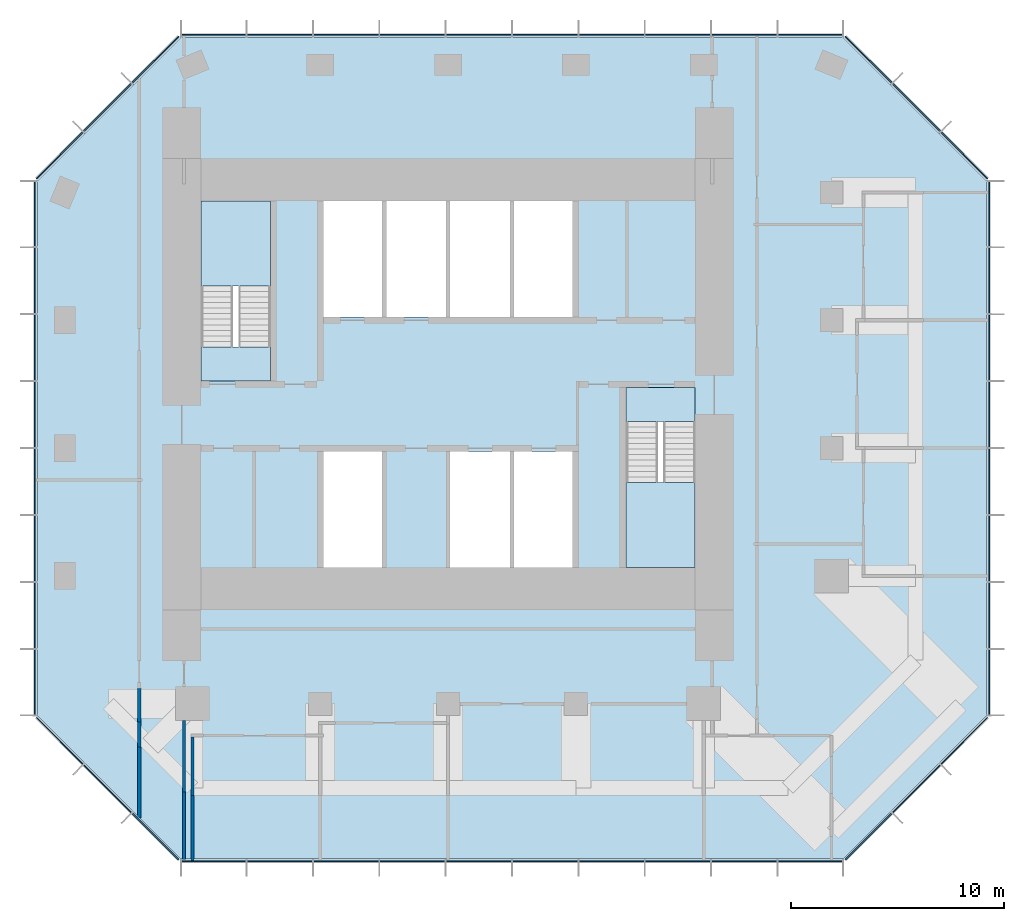
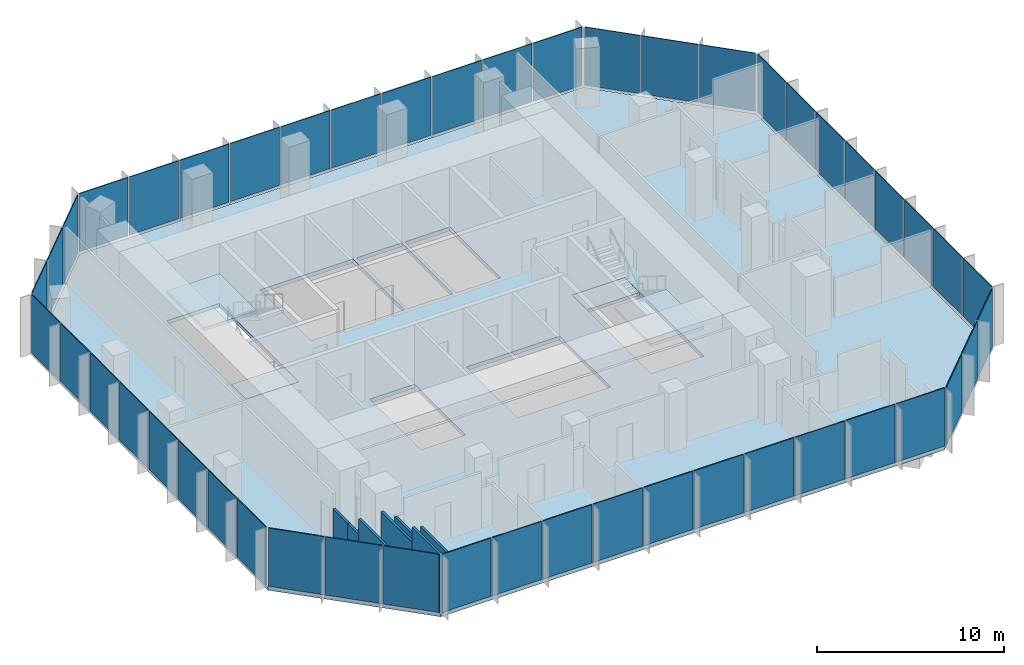
# One storey, part 7 of 11: 48 plates, 7 walls, 5 slabs, 10 elements without a shape of their own.
"""IFC4 building model written with IfcOpenShell, lengths in metres."""

from ifc_helpers import new_model, si_unit, direction, frame, frame_2d, origin, origin_2d, place, context, subcontext, project, spatial, polyline, rectangle, outline, extrude, material, layer, layer_set, type_object, element, aggregate, save


model = new_model("IFC4")

# Units and contexts
model_context = context("Model", 3, precision=1e-05, world=origin(), true_north=direction((0.0, 1.0)))
body_context = subcontext(model_context, "Body", "Model", "MODEL_VIEW")
ifc_project = project(units=[si_unit("LENGTHUNIT", "METRE"), si_unit("AREAUNIT", "SQUARE_METRE"), si_unit("VOLUMEUNIT", "CUBIC_METRE"), si_unit("PLANEANGLEUNIT", "RADIAN"), si_unit("MASSUNIT", "GRAM", prefix="KILO")], contexts=[model_context])

# Site, building, storey
site_placement = place(None, origin())
site = spatial("IfcSite", under=ifc_project, at=site_placement, CompositionType="ELEMENT")
building_placement = place(site_placement, origin())
building = spatial("IfcBuilding", under=site, at=building_placement, Name="Highveld Stack Headquarters", CompositionType="ELEMENT")
storey_placement = place(building_placement, frame((0.0, 0.0, 280.10009765625)))
storey = spatial("IfcBuildingStorey", under=building, at=storey_placement, Name="L69", CompositionType="ELEMENT", Elevation=280.10009765625)

# Curtain wall, plates
ifc_material_1 = material(Name="Aluminium bronze anodised", Category="aluminium")
ifc_layer_1 = layer(ifc_material_1, 0.199951171875)
ifc_layer_set_1 = layer_set([ifc_layer_1], Name="Aluminium bronze anodised")
curtain_wall_type = type_object("IfcCurtainWallType", Name="CW5 EXECUTIVE UNITISED CURTAIN WALL", PredefinedType="NOTDEFINED", material=ifc_layer_set_1)
curtain_wall_1_placement = place(storey_placement, origin())
curtain_wall_1 = element("IfcCurtainWall", 1, at=curtain_wall_1_placement, inside=storey, type_object=curtain_wall_type, Name="Curtain wall CW5 L69 S", PredefinedType="NOTDEFINED")
ifc_material_2 = material(Name="Glass bronze tinted triple glazed unit", Category="glass")
ifc_layer_2 = layer(ifc_material_2, 0.050048828125)
ifc_layer_set_2 = layer_set([ifc_layer_2], Name="Glass bronze tinted triple glazed unit")
plate_type = type_object("IfcPlateType", Name="CW5 PANEL BRONZE TINTED TRIPLE GLAZED UNIT", PredefinedType="CURTAIN_PANEL", material=ifc_layer_set_2)
plate_1_placement = place(storey_placement, frame((-5.005615234375, -19.39990234375, 0.10009765625), z_axis=(0.0, 0.0, 1.0), x_axis=(1.0, 0.0, 0.0)))
plate_1 = element("IfcPlate", 2, at=plate_1_placement, type_object=plate_type, Name="CW5 panel L69 1.1", PredefinedType="CURTAIN_PANEL", context=body_context, shape_type="SweptSolid", body=[
    extrude(rectangle(XDim=3.0185546875, YDim=0.050048828125, at=origin_2d()), origin(), (0.0, 0.0, 1.0), 3.800048828125),
])
plate_2_placement = place(storey_placement, frame((-1.906005859375, -19.39990234375, 0.10009765625), z_axis=(0.0, 0.0, 1.0), x_axis=(1.0, 0.0, 0.0)))
plate_2 = element("IfcPlate", 3, at=plate_2_placement, type_object=plate_type, Name="CW5 panel L69 2.1", PredefinedType="CURTAIN_PANEL", context=body_context, shape_type="SweptSolid", body=[
    extrude(rectangle(XDim=3.051025390625, YDim=0.050048828125, at=origin_2d()), origin(), (0.0, 0.0, 1.0), 3.800048828125),
])
plate_3_placement = place(storey_placement, frame((1.2099609375, -19.39990234375, 0.10009765625), z_axis=(0.0, 0.0, 1.0), x_axis=(1.0, 0.0, 0.0)))
plate_3 = element("IfcPlate", 4, at=plate_3_placement, type_object=plate_type, Name="CW5 panel L69 3.1", PredefinedType="CURTAIN_PANEL", context=body_context, shape_type="SweptSolid", body=[
    extrude(rectangle(XDim=3.051025390625, YDim=0.050048828125, at=origin_2d()), origin(), (0.0, 0.0, 1.0), 3.800048828125),
])
plate_4_placement = place(storey_placement, frame((4.325927734375, -19.39990234375, 0.10009765625), z_axis=(0.0, 0.0, 1.0), x_axis=(1.0, 0.0, 0.0)))
plate_4 = element("IfcPlate", 5, at=plate_4_placement, type_object=plate_type, Name="CW5 panel L69 4.1", PredefinedType="CURTAIN_PANEL", context=body_context, shape_type="SweptSolid", body=[
    extrude(rectangle(XDim=3.051025390625, YDim=0.050048828125, at=origin_2d()), origin(), (0.0, 0.0, 1.0), 3.800048828125),
])
plate_5_placement = place(storey_placement, frame((7.44189453125, -19.39990234375, 0.10009765625), z_axis=(0.0, 0.0, 1.0), x_axis=(1.0, 0.0, 0.0)))
plate_5 = element("IfcPlate", 6, at=plate_5_placement, type_object=plate_type, Name="CW5 panel L69 5.1", PredefinedType="CURTAIN_PANEL", context=body_context, shape_type="SweptSolid", body=[
    extrude(rectangle(XDim=3.051025390625, YDim=0.050048828125, at=origin_2d()), origin(), (0.0, 0.0, 1.0), 3.800048828125),
])
plate_6_placement = place(storey_placement, frame((10.55810546875, -19.39990234375, 0.10009765625), z_axis=(0.0, 0.0, 1.0), x_axis=(1.0, 0.0, 0.0)))
plate_6 = element("IfcPlate", 7, at=plate_6_placement, type_object=plate_type, Name="CW5 panel L69 6.1", PredefinedType="CURTAIN_PANEL", context=body_context, shape_type="SweptSolid", body=[
    extrude(rectangle(XDim=3.051025390625, YDim=0.050048828125, at=origin_2d()), origin(), (0.0, 0.0, 1.0), 3.800048828125),
])
plate_7_placement = place(storey_placement, frame((13.674072265625, -19.39990234375, 0.10009765625), z_axis=(0.0, 0.0, 1.0), x_axis=(1.0, 0.0, 0.0)))
plate_7 = element("IfcPlate", 8, at=plate_7_placement, type_object=plate_type, Name="CW5 panel L69 7.1", PredefinedType="CURTAIN_PANEL", context=body_context, shape_type="SweptSolid", body=[
    extrude(rectangle(XDim=3.051025390625, YDim=0.050048828125, at=origin_2d()), origin(), (0.0, 0.0, 1.0), 3.800048828125),
])
plate_8_placement = place(storey_placement, frame((16.789794921875, -19.39990234375, 0.10009765625), z_axis=(0.0, 0.0, 1.0), x_axis=(1.0, 0.0, 0.0)))
plate_8 = element("IfcPlate", 9, at=plate_8_placement, type_object=plate_type, Name="CW5 panel L69 8.1", PredefinedType="CURTAIN_PANEL", context=body_context, shape_type="SweptSolid", body=[
    extrude(rectangle(XDim=3.051025390625, YDim=0.050048828125, at=origin_2d()), origin(), (0.0, 0.0, 1.0), 3.800048828125),
])
plate_9_placement = place(storey_placement, frame((19.906005859375, -19.39990234375, 0.10009765625), z_axis=(0.0, 0.0, 1.0), x_axis=(1.0, 0.0, 0.0)))
plate_9 = element("IfcPlate", 10, at=plate_9_placement, type_object=plate_type, Name="CW5 panel L69 9.1", PredefinedType="CURTAIN_PANEL", context=body_context, shape_type="SweptSolid", body=[
    extrude(rectangle(XDim=3.051025390625, YDim=0.050048828125, at=origin_2d()), origin(), (0.0, 0.0, 1.0), 3.800048828125),
])
plate_10_placement = place(storey_placement, frame((23.005615234375, -19.39990234375, 0.10009765625), z_axis=(0.0, 0.0, 1.0), x_axis=(1.0, 0.0, 0.0)))
plate_10 = element("IfcPlate", 11, at=plate_10_placement, type_object=plate_type, Name="CW5 panel L69 10.1", PredefinedType="CURTAIN_PANEL", context=body_context, shape_type="SweptSolid", body=[
    extrude(rectangle(XDim=3.0185546875, YDim=0.050048828125, at=origin_2d()), origin(), (0.0, 0.0, 1.0), 3.800048828125),
])
aggregate(curtain_wall_1, [plate_1, plate_2, plate_3, plate_4, plate_5, plate_6, plate_7, plate_8, plate_9, plate_10])

curtain_wall_2_placement = place(storey_placement, origin())
curtain_wall_2 = element("IfcCurtainWall", 12, at=curtain_wall_2_placement, inside=storey, type_object=curtain_wall_type, Name="Curtain wall CW5 L69 SE", PredefinedType="NOTDEFINED")
plate_11_placement = place(storey_placement, frame((25.740478515625, -18.239501953125, 0.10009765625), z_axis=(0.0, 0.0, 1.0), x_axis=(0.707106781187, 0.707106781187, 0.0)))
plate_11 = element("IfcPlate", 13, at=plate_11_placement, type_object=plate_type, Name="CW5 panel L69 1.1", PredefinedType="CURTAIN_PANEL", context=body_context, shape_type="SweptSolid", body=[
    extrude(rectangle(XDim=3.08251953125, YDim=0.050048828125, at=origin_2d()), origin(), (0.0, 0.0, 1.0), 3.800048828125),
])
plate_12_placement = place(storey_placement, frame((27.989990234375, -15.989990234375, 0.10009765625), z_axis=(0.0, 0.0, 1.0), x_axis=(0.707106781187, 0.707106781187, 0.0)))
plate_12 = element("IfcPlate", 14, at=plate_12_placement, type_object=plate_type, Name="CW5 panel L69 2.1", PredefinedType="CURTAIN_PANEL", context=body_context, shape_type="SweptSolid", body=[
    extrude(rectangle(XDim=3.14990234375, YDim=0.050048828125, at=origin_2d()), origin(), (0.0, 0.0, 1.0), 3.800048828125),
])
plate_13_placement = place(storey_placement, frame((30.239501953125, -13.740478515625, 0.10009765625), z_axis=(0.0, 0.0, 1.0), x_axis=(0.707106781187, 0.707106781187, 0.0)))
plate_13 = element("IfcPlate", 15, at=plate_13_placement, type_object=plate_type, Name="CW5 panel L69 3.1", PredefinedType="CURTAIN_PANEL", context=body_context, shape_type="SweptSolid", body=[
    extrude(rectangle(XDim=3.08251953125, YDim=0.050048828125, at=origin_2d()), origin(), (0.0, 0.0, 1.0), 3.800048828125),
])
aggregate(curtain_wall_2, [plate_11, plate_12, plate_13])

curtain_wall_3_placement = place(storey_placement, origin())
curtain_wall_3 = element("IfcCurtainWall", 16, at=curtain_wall_3_placement, inside=storey, type_object=curtain_wall_type, Name="Curtain wall CW5 L69 E", PredefinedType="NOTDEFINED")
plate_14_placement = place(storey_placement, frame((31.39990234375, -10.9912109375, 0.10009765625), z_axis=(0.0, 0.0, 1.0), x_axis=(0.0, 1.0, 0.0)))
plate_14 = element("IfcPlate", 17, at=plate_14_placement, type_object=plate_type, Name="CW5 panel L69 1.1", PredefinedType="CURTAIN_PANEL", context=body_context, shape_type="SweptSolid", body=[
    extrude(rectangle(XDim=3.047607421875, YDim=0.050048828125, at=origin_2d()), origin(), (0.0, 0.0, 1.0), 3.800048828125),
])
plate_15_placement = place(storey_placement, frame((31.39990234375, -7.8623046875, 0.10009765625), z_axis=(0.0, 0.0, 1.0), x_axis=(0.0, 1.0, 0.0)))
plate_15 = element("IfcPlate", 18, at=plate_15_placement, type_object=plate_type, Name="CW5 panel L69 2.1", PredefinedType="CURTAIN_PANEL", context=body_context, shape_type="SweptSolid", body=[
    extrude(rectangle(XDim=3.080078125, YDim=0.050048828125, at=origin_2d()), origin(), (0.0, 0.0, 1.0), 3.800048828125),
])
plate_16_placement = place(storey_placement, frame((31.39990234375, -4.717529296875, 0.10009765625), z_axis=(0.0, 0.0, 1.0), x_axis=(0.0, 1.0, 0.0)))
plate_16 = element("IfcPlate", 19, at=plate_16_placement, type_object=plate_type, Name="CW5 panel L69 3.1", PredefinedType="CURTAIN_PANEL", context=body_context, shape_type="SweptSolid", body=[
    extrude(rectangle(XDim=3.080078125, YDim=0.050048828125, at=origin_2d()), origin(), (0.0, 0.0, 1.0), 3.800048828125),
])
plate_17_placement = place(storey_placement, frame((31.39990234375, -1.572509765625, 0.10009765625), z_axis=(0.0, 0.0, 1.0), x_axis=(0.0, 1.0, 0.0)))
plate_17 = element("IfcPlate", 20, at=plate_17_placement, type_object=plate_type, Name="CW5 panel L69 4.1", PredefinedType="CURTAIN_PANEL", context=body_context, shape_type="SweptSolid", body=[
    extrude(rectangle(XDim=3.080078125, YDim=0.050048828125, at=origin_2d()), origin(), (0.0, 0.0, 1.0), 3.800048828125),
])
plate_18_placement = place(storey_placement, frame((31.39990234375, 1.572509765625, 0.10009765625), z_axis=(0.0, 0.0, 1.0), x_axis=(0.0, 1.0, 0.0)))
plate_18 = element("IfcPlate", 21, at=plate_18_placement, type_object=plate_type, Name="CW5 panel L69 5.1", PredefinedType="CURTAIN_PANEL", context=body_context, shape_type="SweptSolid", body=[
    extrude(rectangle(XDim=3.080078125, YDim=0.050048828125, at=origin_2d()), origin(), (0.0, 0.0, 1.0), 3.800048828125),
])
plate_19_placement = place(storey_placement, frame((31.39990234375, 4.717529296875, 0.10009765625), z_axis=(0.0, 0.0, 1.0), x_axis=(0.0, 1.0, 0.0)))
plate_19 = element("IfcPlate", 22, at=plate_19_placement, type_object=plate_type, Name="CW5 panel L69 6.1", PredefinedType="CURTAIN_PANEL", context=body_context, shape_type="SweptSolid", body=[
    extrude(rectangle(XDim=3.080078125, YDim=0.050048828125, at=origin_2d()), origin(), (0.0, 0.0, 1.0), 3.800048828125),
])
plate_20_placement = place(storey_placement, frame((31.39990234375, 7.8623046875, 0.10009765625), z_axis=(0.0, 0.0, 1.0), x_axis=(0.0, 1.0, 0.0)))
plate_20 = element("IfcPlate", 23, at=plate_20_placement, type_object=plate_type, Name="CW5 panel L69 7.1", PredefinedType="CURTAIN_PANEL", context=body_context, shape_type="SweptSolid", body=[
    extrude(rectangle(XDim=3.080078125, YDim=0.050048828125, at=origin_2d()), origin(), (0.0, 0.0, 1.0), 3.800048828125),
])
plate_21_placement = place(storey_placement, frame((31.39990234375, 10.9912109375, 0.10009765625), z_axis=(0.0, 0.0, 1.0), x_axis=(0.0, 1.0, 0.0)))
plate_21 = element("IfcPlate", 24, at=plate_21_placement, type_object=plate_type, Name="CW5 panel L69 8.1", PredefinedType="CURTAIN_PANEL", context=body_context, shape_type="SweptSolid", body=[
    extrude(rectangle(XDim=3.047607421875, YDim=0.050048828125, at=origin_2d()), origin(), (0.0, 0.0, 1.0), 3.800048828125),
])
aggregate(curtain_wall_3, [plate_14, plate_15, plate_16, plate_17, plate_18, plate_19, plate_20, plate_21])

curtain_wall_4_placement = place(storey_placement, origin())
curtain_wall_4 = element("IfcCurtainWall", 25, at=curtain_wall_4_placement, inside=storey, type_object=curtain_wall_type, Name="Curtain wall CW5 L69 NE", PredefinedType="NOTDEFINED")
plate_22_placement = place(storey_placement, frame((30.239501953125, 13.740478515625, 0.10009765625), z_axis=(0.0, 0.0, 1.0), x_axis=(-0.707106781187, 0.707106781187, 0.0)))
plate_22 = element("IfcPlate", 26, at=plate_22_placement, type_object=plate_type, Name="CW5 panel L69 1.1", PredefinedType="CURTAIN_PANEL", context=body_context, shape_type="SweptSolid", body=[
    extrude(rectangle(XDim=3.08251953125, YDim=0.050048828125, at=origin_2d()), origin(), (0.0, 0.0, 1.0), 3.800048828125),
])
plate_23_placement = place(storey_placement, frame((27.989990234375, 15.989990234375, 0.10009765625), z_axis=(0.0, 0.0, 1.0), x_axis=(-0.707106781187, 0.707106781187, 0.0)))
plate_23 = element("IfcPlate", 27, at=plate_23_placement, type_object=plate_type, Name="CW5 panel L69 2.1", PredefinedType="CURTAIN_PANEL", context=body_context, shape_type="SweptSolid", body=[
    extrude(rectangle(XDim=3.14990234375, YDim=0.050048828125, at=origin_2d()), origin(), (0.0, 0.0, 1.0), 3.800048828125),
])
plate_24_placement = place(storey_placement, frame((25.740478515625, 18.239501953125, 0.10009765625), z_axis=(0.0, 0.0, 1.0), x_axis=(-0.707106781187, 0.707106781187, 0.0)))
plate_24 = element("IfcPlate", 28, at=plate_24_placement, type_object=plate_type, Name="CW5 panel L69 3.1", PredefinedType="CURTAIN_PANEL", context=body_context, shape_type="SweptSolid", body=[
    extrude(rectangle(XDim=3.08251953125, YDim=0.050048828125, at=origin_2d()), origin(), (0.0, 0.0, 1.0), 3.800048828125),
])
aggregate(curtain_wall_4, [plate_22, plate_23, plate_24])

curtain_wall_5_placement = place(storey_placement, origin())
curtain_wall_5 = element("IfcCurtainWall", 29, at=curtain_wall_5_placement, inside=storey, type_object=curtain_wall_type, Name="Curtain wall CW5 L69 N", PredefinedType="NOTDEFINED")
plate_25_placement = place(storey_placement, frame((23.005615234375, 19.39990234375, 0.10009765625), z_axis=(0.0, 0.0, 1.0), x_axis=(-1.0, 0.0, 0.0)))
plate_25 = element("IfcPlate", 30, at=plate_25_placement, type_object=plate_type, Name="CW5 panel L69 1.1", PredefinedType="CURTAIN_PANEL", context=body_context, shape_type="SweptSolid", body=[
    extrude(rectangle(XDim=3.0185546875, YDim=0.050048828125, at=origin_2d()), origin(), (0.0, 0.0, 1.0), 3.800048828125),
])
plate_26_placement = place(storey_placement, frame((19.906005859375, 19.39990234375, 0.10009765625), z_axis=(0.0, 0.0, 1.0), x_axis=(-1.0, 0.0, 0.0)))
plate_26 = element("IfcPlate", 31, at=plate_26_placement, type_object=plate_type, Name="CW5 panel L69 2.1", PredefinedType="CURTAIN_PANEL", context=body_context, shape_type="SweptSolid", body=[
    extrude(rectangle(XDim=3.051025390625, YDim=0.050048828125, at=origin_2d()), origin(), (0.0, 0.0, 1.0), 3.800048828125),
])
plate_27_placement = place(storey_placement, frame((16.7900390625, 19.39990234375, 0.10009765625), z_axis=(0.0, 0.0, 1.0), x_axis=(-1.0, 0.0, 0.0)))
plate_27 = element("IfcPlate", 32, at=plate_27_placement, type_object=plate_type, Name="CW5 panel L69 3.1", PredefinedType="CURTAIN_PANEL", context=body_context, shape_type="SweptSolid", body=[
    extrude(rectangle(XDim=3.051025390625, YDim=0.050048828125, at=origin_2d()), origin(), (0.0, 0.0, 1.0), 3.800048828125),
])
plate_28_placement = place(storey_placement, frame((13.674072265625, 19.39990234375, 0.10009765625), z_axis=(0.0, 0.0, 1.0), x_axis=(-1.0, 0.0, 0.0)))
plate_28 = element("IfcPlate", 33, at=plate_28_placement, type_object=plate_type, Name="CW5 panel L69 4.1", PredefinedType="CURTAIN_PANEL", context=body_context, shape_type="SweptSolid", body=[
    extrude(rectangle(XDim=3.051025390625, YDim=0.050048828125, at=origin_2d()), origin(), (0.0, 0.0, 1.0), 3.800048828125),
])
plate_29_placement = place(storey_placement, frame((10.55810546875, 19.39990234375, 0.10009765625), z_axis=(0.0, 0.0, 1.0), x_axis=(-1.0, 0.0, 0.0)))
plate_29 = element("IfcPlate", 34, at=plate_29_placement, type_object=plate_type, Name="CW5 panel L69 5.1", PredefinedType="CURTAIN_PANEL", context=body_context, shape_type="SweptSolid", body=[
    extrude(rectangle(XDim=3.051025390625, YDim=0.050048828125, at=origin_2d()), origin(), (0.0, 0.0, 1.0), 3.800048828125),
])
plate_30_placement = place(storey_placement, frame((7.44189453125, 19.39990234375, 0.10009765625), z_axis=(0.0, 0.0, 1.0), x_axis=(-1.0, 0.0, 0.0)))
plate_30 = element("IfcPlate", 35, at=plate_30_placement, type_object=plate_type, Name="CW5 panel L69 6.1", PredefinedType="CURTAIN_PANEL", context=body_context, shape_type="SweptSolid", body=[
    extrude(rectangle(XDim=3.051025390625, YDim=0.050048828125, at=origin_2d()), origin(), (0.0, 0.0, 1.0), 3.800048828125),
])
plate_31_placement = place(storey_placement, frame((4.325927734375, 19.39990234375, 0.10009765625), z_axis=(0.0, 0.0, 1.0), x_axis=(-1.0, 0.0, 0.0)))
plate_31 = element("IfcPlate", 36, at=plate_31_placement, type_object=plate_type, Name="CW5 panel L69 7.1", PredefinedType="CURTAIN_PANEL", context=body_context, shape_type="SweptSolid", body=[
    extrude(rectangle(XDim=3.051025390625, YDim=0.050048828125, at=origin_2d()), origin(), (0.0, 0.0, 1.0), 3.800048828125),
])
plate_32_placement = place(storey_placement, frame((1.210205078125, 19.39990234375, 0.10009765625), z_axis=(0.0, 0.0, 1.0), x_axis=(-1.0, 0.0, 0.0)))
plate_32 = element("IfcPlate", 37, at=plate_32_placement, type_object=plate_type, Name="CW5 panel L69 8.1", PredefinedType="CURTAIN_PANEL", context=body_context, shape_type="SweptSolid", body=[
    extrude(rectangle(XDim=3.051025390625, YDim=0.050048828125, at=origin_2d()), origin(), (0.0, 0.0, 1.0), 3.800048828125),
])
plate_33_placement = place(storey_placement, frame((-1.906005859375, 19.39990234375, 0.10009765625), z_axis=(0.0, 0.0, 1.0), x_axis=(-1.0, 0.0, 0.0)))
plate_33 = element("IfcPlate", 38, at=plate_33_placement, type_object=plate_type, Name="CW5 panel L69 9.1", PredefinedType="CURTAIN_PANEL", context=body_context, shape_type="SweptSolid", body=[
    extrude(rectangle(XDim=3.051025390625, YDim=0.050048828125, at=origin_2d()), origin(), (0.0, 0.0, 1.0), 3.800048828125),
])
plate_34_placement = place(storey_placement, frame((-5.005615234375, 19.39990234375, 0.10009765625), z_axis=(0.0, 0.0, 1.0), x_axis=(-1.0, 0.0, 0.0)))
plate_34 = element("IfcPlate", 39, at=plate_34_placement, type_object=plate_type, Name="CW5 panel L69 10.1", PredefinedType="CURTAIN_PANEL", context=body_context, shape_type="SweptSolid", body=[
    extrude(rectangle(XDim=3.0185546875, YDim=0.050048828125, at=origin_2d()), origin(), (0.0, 0.0, 1.0), 3.800048828125),
])
aggregate(curtain_wall_5, [plate_25, plate_26, plate_27, plate_28, plate_29, plate_30, plate_31, plate_32, plate_33, plate_34])

curtain_wall_6_placement = place(storey_placement, origin())
curtain_wall_6 = element("IfcCurtainWall", 40, at=curtain_wall_6_placement, inside=storey, type_object=curtain_wall_type, Name="Curtain wall CW5 L69 NW", PredefinedType="NOTDEFINED")
plate_35_placement = place(storey_placement, frame((-7.740478515625, 18.239501953125, 0.10009765625), z_axis=(0.0, 0.0, 1.0), x_axis=(-0.707106781187, -0.707106781187, 0.0)))
plate_35 = element("IfcPlate", 41, at=plate_35_placement, type_object=plate_type, Name="CW5 panel L69 1.1", PredefinedType="CURTAIN_PANEL", context=body_context, shape_type="SweptSolid", body=[
    extrude(rectangle(XDim=3.08251953125, YDim=0.050048828125, at=origin_2d()), origin(), (0.0, 0.0, 1.0), 3.800048828125),
])
plate_36_placement = place(storey_placement, frame((-9.989990234375, 15.989990234375, 0.10009765625), z_axis=(0.0, 0.0, 1.0), x_axis=(-0.707106781187, -0.707106781187, 0.0)))
plate_36 = element("IfcPlate", 42, at=plate_36_placement, type_object=plate_type, Name="CW5 panel L69 2.1", PredefinedType="CURTAIN_PANEL", context=body_context, shape_type="SweptSolid", body=[
    extrude(rectangle(XDim=3.14990234375, YDim=0.050048828125, at=origin_2d()), origin(), (0.0, 0.0, 1.0), 3.800048828125),
])
plate_37_placement = place(storey_placement, frame((-12.239501953125, 13.740478515625, 0.10009765625), z_axis=(0.0, 0.0, 1.0), x_axis=(-0.707106781187, -0.707106781187, 0.0)))
plate_37 = element("IfcPlate", 43, at=plate_37_placement, type_object=plate_type, Name="CW5 panel L69 3.1", PredefinedType="CURTAIN_PANEL", context=body_context, shape_type="SweptSolid", body=[
    extrude(rectangle(XDim=3.08251953125, YDim=0.050048828125, at=origin_2d()), origin(), (0.0, 0.0, 1.0), 3.800048828125),
])
aggregate(curtain_wall_6, [plate_35, plate_36, plate_37])

curtain_wall_7_placement = place(storey_placement, origin())
curtain_wall_7 = element("IfcCurtainWall", 44, at=curtain_wall_7_placement, inside=storey, type_object=curtain_wall_type, Name="Curtain wall CW5 L69 W", PredefinedType="NOTDEFINED")
plate_38_placement = place(storey_placement, frame((-13.39990234375, 10.9912109375, 0.10009765625), z_axis=(0.0, 0.0, 1.0), x_axis=(0.0, -1.0, 0.0)))
plate_38 = element("IfcPlate", 45, at=plate_38_placement, type_object=plate_type, Name="CW5 panel L69 1.1", PredefinedType="CURTAIN_PANEL", context=body_context, shape_type="SweptSolid", body=[
    extrude(rectangle(XDim=3.047607421875, YDim=0.050048828125, at=origin_2d()), origin(), (0.0, 0.0, 1.0), 3.800048828125),
])
plate_39_placement = place(storey_placement, frame((-13.39990234375, 7.8623046875, 0.10009765625), z_axis=(0.0, 0.0, 1.0), x_axis=(0.0, -1.0, 0.0)))
plate_39 = element("IfcPlate", 46, at=plate_39_placement, type_object=plate_type, Name="CW5 panel L69 2.1", PredefinedType="CURTAIN_PANEL", context=body_context, shape_type="SweptSolid", body=[
    extrude(rectangle(XDim=3.080078125, YDim=0.050048828125, at=origin_2d()), origin(), (0.0, 0.0, 1.0), 3.800048828125),
])
plate_40_placement = place(storey_placement, frame((-13.39990234375, 4.717529296875, 0.10009765625), z_axis=(0.0, 0.0, 1.0), x_axis=(0.0, -1.0, 0.0)))
plate_40 = element("IfcPlate", 47, at=plate_40_placement, type_object=plate_type, Name="CW5 panel L69 3.1", PredefinedType="CURTAIN_PANEL", context=body_context, shape_type="SweptSolid", body=[
    extrude(rectangle(XDim=3.080078125, YDim=0.050048828125, at=origin_2d()), origin(), (0.0, 0.0, 1.0), 3.800048828125),
])
plate_41_placement = place(storey_placement, frame((-13.39990234375, 1.572509765625, 0.10009765625), z_axis=(0.0, 0.0, 1.0), x_axis=(0.0, -1.0, 0.0)))
plate_41 = element("IfcPlate", 48, at=plate_41_placement, type_object=plate_type, Name="CW5 panel L69 4.1", PredefinedType="CURTAIN_PANEL", context=body_context, shape_type="SweptSolid", body=[
    extrude(rectangle(XDim=3.080078125, YDim=0.050048828125, at=origin_2d()), origin(), (0.0, 0.0, 1.0), 3.800048828125),
])
plate_42_placement = place(storey_placement, frame((-13.39990234375, -1.572509765625, 0.10009765625), z_axis=(0.0, 0.0, 1.0), x_axis=(0.0, -1.0, 0.0)))
plate_42 = element("IfcPlate", 49, at=plate_42_placement, type_object=plate_type, Name="CW5 panel L69 5.1", PredefinedType="CURTAIN_PANEL", context=body_context, shape_type="SweptSolid", body=[
    extrude(rectangle(XDim=3.080078125, YDim=0.050048828125, at=origin_2d()), origin(), (0.0, 0.0, 1.0), 3.800048828125),
])
plate_43_placement = place(storey_placement, frame((-13.39990234375, -4.717529296875, 0.10009765625), z_axis=(0.0, 0.0, 1.0), x_axis=(0.0, -1.0, 0.0)))
plate_43 = element("IfcPlate", 50, at=plate_43_placement, type_object=plate_type, Name="CW5 panel L69 6.1", PredefinedType="CURTAIN_PANEL", context=body_context, shape_type="SweptSolid", body=[
    extrude(rectangle(XDim=3.080078125, YDim=0.050048828125, at=origin_2d()), origin(), (0.0, 0.0, 1.0), 3.800048828125),
])
plate_44_placement = place(storey_placement, frame((-13.39990234375, -7.8623046875, 0.10009765625), z_axis=(0.0, 0.0, 1.0), x_axis=(0.0, -1.0, 0.0)))
plate_44 = element("IfcPlate", 51, at=plate_44_placement, type_object=plate_type, Name="CW5 panel L69 7.1", PredefinedType="CURTAIN_PANEL", context=body_context, shape_type="SweptSolid", body=[
    extrude(rectangle(XDim=3.080078125, YDim=0.050048828125, at=origin_2d()), origin(), (0.0, 0.0, 1.0), 3.800048828125),
])
plate_45_placement = place(storey_placement, frame((-13.39990234375, -10.9912109375, 0.10009765625), z_axis=(0.0, 0.0, 1.0), x_axis=(0.0, -1.0, 0.0)))
plate_45 = element("IfcPlate", 52, at=plate_45_placement, type_object=plate_type, Name="CW5 panel L69 8.1", PredefinedType="CURTAIN_PANEL", context=body_context, shape_type="SweptSolid", body=[
    extrude(rectangle(XDim=3.047607421875, YDim=0.050048828125, at=origin_2d()), origin(), (0.0, 0.0, 1.0), 3.800048828125),
])
aggregate(curtain_wall_7, [plate_38, plate_39, plate_40, plate_41, plate_42, plate_43, plate_44, plate_45])

curtain_wall_8_placement = place(storey_placement, origin())
curtain_wall_8 = element("IfcCurtainWall", 53, at=curtain_wall_8_placement, inside=storey, type_object=curtain_wall_type, Name="Curtain wall CW5 L69 SW", PredefinedType="NOTDEFINED")
plate_46_placement = place(storey_placement, frame((-12.239501953125, -13.740478515625, 0.10009765625), z_axis=(0.0, 0.0, 1.0), x_axis=(0.707106781187, -0.707106781187, 0.0)))
plate_46 = element("IfcPlate", 54, at=plate_46_placement, type_object=plate_type, Name="CW5 panel L69 1.1", PredefinedType="CURTAIN_PANEL", context=body_context, shape_type="SweptSolid", body=[
    extrude(rectangle(XDim=3.08251953125, YDim=0.050048828125, at=origin_2d()), origin(), (0.0, 0.0, 1.0), 3.800048828125),
])
plate_47_placement = place(storey_placement, frame((-9.989990234375, -15.989990234375, 0.10009765625), z_axis=(0.0, 0.0, 1.0), x_axis=(0.707106781187, -0.707106781187, 0.0)))
plate_47 = element("IfcPlate", 55, at=plate_47_placement, type_object=plate_type, Name="CW5 panel L69 2.1", PredefinedType="CURTAIN_PANEL", context=body_context, shape_type="SweptSolid", body=[
    extrude(rectangle(XDim=3.14990234375, YDim=0.050048828125, at=origin_2d()), origin(), (0.0, 0.0, 1.0), 3.800048828125),
])
plate_48_placement = place(storey_placement, frame((-7.740478515625, -18.239501953125, 0.10009765625), z_axis=(0.0, 0.0, 1.0), x_axis=(0.707106781187, -0.707106781187, 0.0)))
plate_48 = element("IfcPlate", 56, at=plate_48_placement, type_object=plate_type, Name="CW5 panel L69 3.1", PredefinedType="CURTAIN_PANEL", context=body_context, shape_type="SweptSolid", body=[
    extrude(rectangle(XDim=3.08251953125, YDim=0.050048828125, at=origin_2d()), origin(), (0.0, 0.0, 1.0), 3.800048828125),
])
aggregate(curtain_wall_8, [plate_46, plate_47, plate_48])

# Slab
ifc_material_3 = material(Name="Concrete C60/75", Category="concrete")
ifc_layer_3 = layer(ifc_material_3, 0.25)
ifc_layer_set_3 = layer_set([ifc_layer_3], Name="Concrete C60/75")
slab_type_1 = type_object("IfcSlabType", Name="PT FLAT SLAB 250", PredefinedType="FLOOR", material=ifc_layer_set_3)
slab_1_placement = place(storey_placement, frame((0.0, 0.0, -0.25)))
element("IfcSlab", 57, at=slab_1_placement, inside=storey, type_object=slab_type_1, Name="Floor slab L69", PredefinedType="FLOOR", context=body_context, shape_type="SweptSolid", body=[
    extrude(outline(polyline([(-6.53857421875, -19.300048828125), (24.53857421875, -19.300048828125), (31.300048828125, -12.53857421875), (31.300048828125, 12.53857421875), (24.53857421875, 19.300048828125), (-6.53857421875, 19.300048828125), (-13.300048828125, 12.53857421875), (-13.300048828125, -12.53857421875), (-6.53857421875, -19.300048828125)]), holes=[polyline([(0.14990234375, 6.14990234375), (5.89990234375, 6.14990234375), (5.89990234375, 11.60009765625), (0.14990234375, 11.60009765625), (0.14990234375, 6.14990234375)]), polyline([(9.10009765625, 6.14990234375), (11.85009765625, 6.14990234375), (11.85009765625, 11.60009765625), (9.10009765625, 11.60009765625), (9.10009765625, 6.14990234375)]), polyline([(6.10009765625, 6.14990234375), (8.89990234375, 6.14990234375), (8.89990234375, 11.60009765625), (6.10009765625, 11.60009765625), (6.10009765625, 6.14990234375)]), polyline([(6.10009765625, -5.60009765625), (11.85009765625, -5.60009765625), (11.85009765625, -0.14990234375), (6.10009765625, -0.14990234375), (6.10009765625, -5.60009765625)]), polyline([(0.14990234375, -5.60009765625), (2.89990234375, -5.60009765625), (2.89990234375, -0.14990234375), (0.14990234375, -0.14990234375), (0.14990234375, -5.60009765625)]), polyline([(-5.60009765625, 3.14990234375), (-2.35009765625, 3.14990234375), (-2.35009765625, 11.60009765625), (-5.60009765625, 11.60009765625), (-5.60009765625, 3.14990234375)]), polyline([(14.35009765625, -5.60009765625), (17.60009765625, -5.60009765625), (17.60009765625, 2.85009765625), (14.35009765625, 2.85009765625), (14.35009765625, -5.60009765625)])]), origin(), (0.0, 0.0, 1.0), 0.25),
])

# Stair, slabs
ifc_material_4 = material(Name="Concrete C40/50, precast", Category="concrete")
stair_type_1 = type_object("IfcStairType", Name="STAIR S1 HALF TURN 1500", PredefinedType="HALF_TURN_STAIR", material=ifc_material_4)
stair_1_placement = place(storey_placement, origin())
stair_1 = element("IfcStair", 58, at=stair_1_placement, inside=storey, type_object=stair_type_1, Name="Stair S1 L69", PredefinedType="HALF_TURN_STAIR")
ifc_material_5 = material(Name="Concrete C40/50, precast", Category="concrete")
ifc_layer_4 = layer(ifc_material_5, 0.199951171875)
ifc_layer_set_4 = layer_set([ifc_layer_4], Name="Concrete C40/50, precast")
slab_type_2 = type_object("IfcSlabType", Name="STAIR LANDING 200", PredefinedType="LANDING", material=ifc_layer_set_4)
slab_2_placement = place(storey_placement, frame((0.0, 0.0, 1.75)))
slab_2 = element("IfcSlab", 59, at=slab_2_placement, type_object=slab_type_2, Name="S1 landing 1", PredefinedType="LANDING", context=body_context, shape_type="SweptSolid", body=[
    extrude(outline(polyline([(-5.60009765625, 7.610107421875), (-2.35009765625, 7.610107421875), (-2.35009765625, 11.60009765625), (-5.60009765625, 11.60009765625), (-5.60009765625, 7.610107421875)])), origin(), (0.0, 0.0, 1.0), 0.199951171875),
])
slab_3_placement = place(storey_placement, frame((0.0, 0.0, -0.2001953125)))
slab_3 = element("IfcSlab", 60, at=slab_3_placement, type_object=slab_type_2, Name="S1 landing 2", PredefinedType="LANDING", context=body_context, shape_type="SweptSolid", body=[
    extrude(outline(polyline([(-5.60009765625, 3.14990234375), (-2.35009765625, 3.14990234375), (-2.35009765625, 4.75), (-5.60009765625, 4.75), (-5.60009765625, 3.14990234375)])), origin(), (0.0, 0.0, 1.0), 0.2001953125),
])
aggregate(stair_1, [slab_2, slab_3])

ifc_material_6 = material(Name="Concrete C40/50, precast", Category="concrete")
stair_type_2 = type_object("IfcStairType", Name="STAIR S2 HALF TURN 1500", PredefinedType="HALF_TURN_STAIR", material=ifc_material_6)
stair_2_placement = place(storey_placement, origin())
stair_2 = element("IfcStair", 61, at=stair_2_placement, inside=storey, type_object=stair_type_2, Name="Stair S2 L69", PredefinedType="HALF_TURN_STAIR")
slab_4_placement = place(storey_placement, frame((0.0, 0.0, 1.75)))
slab_4 = element("IfcSlab", 62, at=slab_4_placement, type_object=slab_type_2, Name="S2 landing 1", PredefinedType="LANDING", context=body_context, shape_type="SweptSolid", body=[
    extrude(outline(polyline([(14.35009765625, -5.60009765625), (17.60009765625, -5.60009765625), (17.60009765625, -1.610107421875), (14.35009765625, -1.610107421875), (14.35009765625, -5.60009765625)])), origin(), (0.0, 0.0, 1.0), 0.199951171875),
])
slab_5_placement = place(storey_placement, frame((0.0, 0.0, -0.2001953125)))
slab_5 = element("IfcSlab", 63, at=slab_5_placement, type_object=slab_type_2, Name="S2 landing 2", PredefinedType="LANDING", context=body_context, shape_type="SweptSolid", body=[
    extrude(outline(polyline([(14.35009765625, 1.25), (17.60009765625, 1.25), (17.60009765625, 2.85009765625), (14.35009765625, 2.85009765625), (14.35009765625, 1.25)])), origin(), (0.0, 0.0, 1.0), 0.2001953125),
])
aggregate(stair_2, [slab_4, slab_5])

# Walls
ifc_material_7 = material(Name="Gypsum plasterboard on steel studs", Category="steel")
ifc_layer_5 = layer(ifc_material_7, 0.14990234375)
ifc_layer_set_5 = layer_set([ifc_layer_5], Name="Gypsum plasterboard on steel studs")
wall_type = type_object("IfcWallType", Name="PARTITION 150 PLASTERBOARD", PredefinedType="PARTITIONING", material=ifc_layer_set_5)
wall_1_placement = place(storey_placement, frame((-6.0, -19.375, 0.0), z_axis=(0.0, 0.0, 1.0), x_axis=(0.0, 1.0, 0.0)))
element("IfcWall", 64, at=wall_1_placement, inside=storey, type_object=wall_type, Name="Partition Quiet room L69", PredefinedType="PARTITIONING", context=body_context, shape_type="SweptSolid", body=[
    extrude(rectangle(XDim=3.06494140625, YDim=0.14990234375, at=frame_2d((1.532470703125, 0.0))), origin(), (0.0, 0.0, 1.0), 3.64990234375),
])
wall_2_placement = place(storey_placement, frame((-6.0, -16.31005859375, 0.0), z_axis=(0.0, 0.0, 1.0), x_axis=(0.0, 1.0, 0.0)))
element("IfcWall", 65, at=wall_2_placement, inside=storey, type_object=wall_type, Name="Partition Quiet room L69", PredefinedType="PARTITIONING", context=body_context, shape_type="SweptSolid", body=[
    extrude(rectangle(XDim=2.735107421875, YDim=0.14990234375, at=frame_2d((1.36767578125, 0.0))), origin(), (0.0, 0.0, 1.0), 2.64990234375),
])
wall_3_placement = place(storey_placement, frame((-8.5, -17.363037109375, 0.0), z_axis=(0.0, 0.0, 1.0), x_axis=(0.0, 1.0, 0.0)))
element("IfcWall", 66, at=wall_3_placement, inside=storey, type_object=wall_type, Name="Partition office neighbourhood L69", PredefinedType="PARTITIONING", context=body_context, shape_type="SweptSolid", body=[
    extrude(rectangle(XDim=3.322998046875, YDim=0.14990234375, at=frame_2d((1.66162109375, 0.0))), origin(), (0.0, 0.0, 1.0), 3.64990234375),
])
wall_4_placement = place(storey_placement, frame((-8.5, -14.0400390625, 0.0), z_axis=(0.0, 0.0, 1.0), x_axis=(0.0, 1.0, 0.0)))
element("IfcWall", 67, at=wall_4_placement, inside=storey, type_object=wall_type, Name="Partition office neighbourhood L69", PredefinedType="PARTITIONING", context=body_context, shape_type="SweptSolid", body=[
    extrude(rectangle(XDim=1.179931640625, YDim=0.14990234375, at=frame_2d((0.58984375, 0.0))), origin(), (0.0, 0.0, 1.0), 2.64990234375),
])
wall_5_placement = place(storey_placement, frame((-8.5, -12.860107421875, 0.0), z_axis=(0.0, 0.0, 1.0), x_axis=(0.0, 1.0, 0.0)))
element("IfcWall", 68, at=wall_5_placement, inside=storey, type_object=wall_type, Name="Partition office neighbourhood L69", PredefinedType="PARTITIONING", context=body_context, shape_type="SweptSolid", body=[
    extrude(rectangle(XDim=1.570068359375, YDim=0.14990234375, at=frame_2d((0.78515625, 0.0))), origin(), (0.0, 0.0, 1.0), 2.64990234375),
])
wall_6_placement = place(storey_placement, frame((-6.39990234375, -19.375, 0.0), z_axis=(0.0, 0.0, 1.0), x_axis=(0.0, 1.0, 0.0)))
element("IfcWall", 69, at=wall_6_placement, inside=storey, type_object=wall_type, Name="Partition office neighbourhood L69", PredefinedType="PARTITIONING", context=body_context, shape_type="SweptSolid", body=[
    extrude(rectangle(XDim=3.235107421875, YDim=0.14990234375, at=frame_2d((1.61767578125, 0.0))), origin(), (0.0, 0.0, 1.0), 3.64990234375),
])
wall_7_placement = place(storey_placement, frame((-6.39990234375, -16.139892578125, 0.0), z_axis=(0.0, 0.0, 1.0), x_axis=(0.0, 1.0, 0.0)))
element("IfcWall", 70, at=wall_7_placement, inside=storey, type_object=wall_type, Name="Partition office neighbourhood L69", PredefinedType="PARTITIONING", context=body_context, shape_type="SweptSolid", body=[
    extrude(rectangle(XDim=3.33984375, YDim=0.14990234375, at=frame_2d((1.669921875, 0.0))), origin(), (0.0, 0.0, 1.0), 2.64990234375),
])

save(model, "model.ifc")
